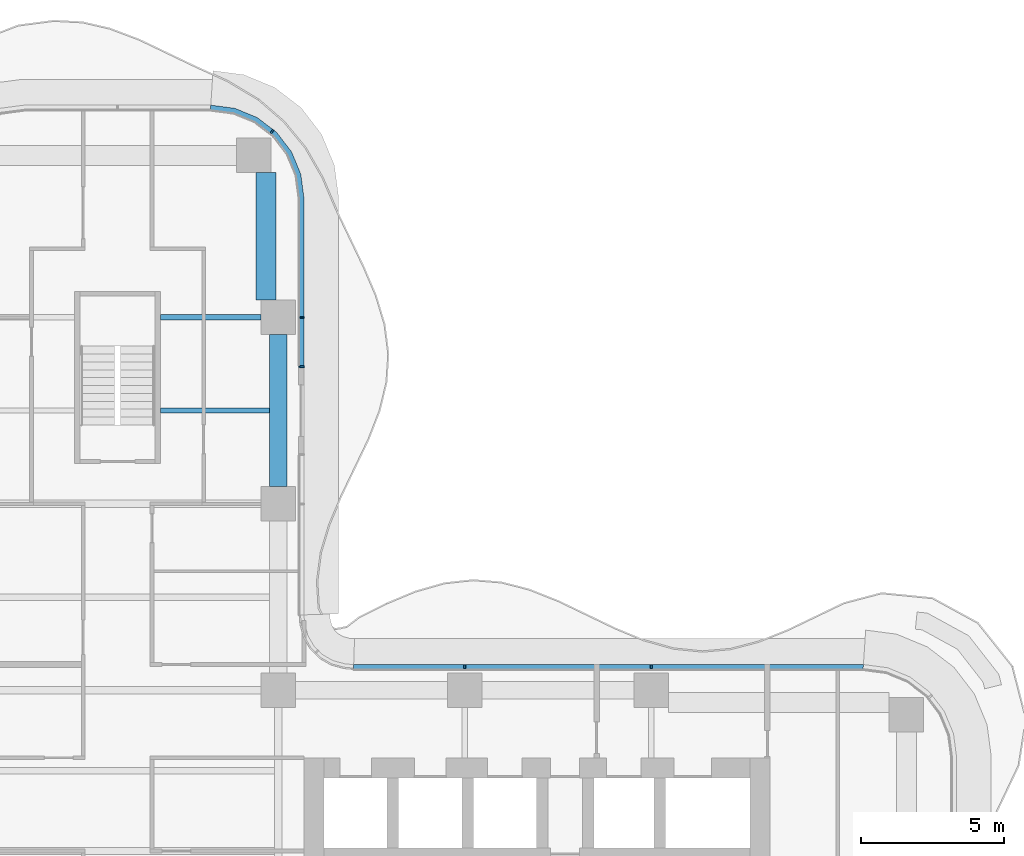
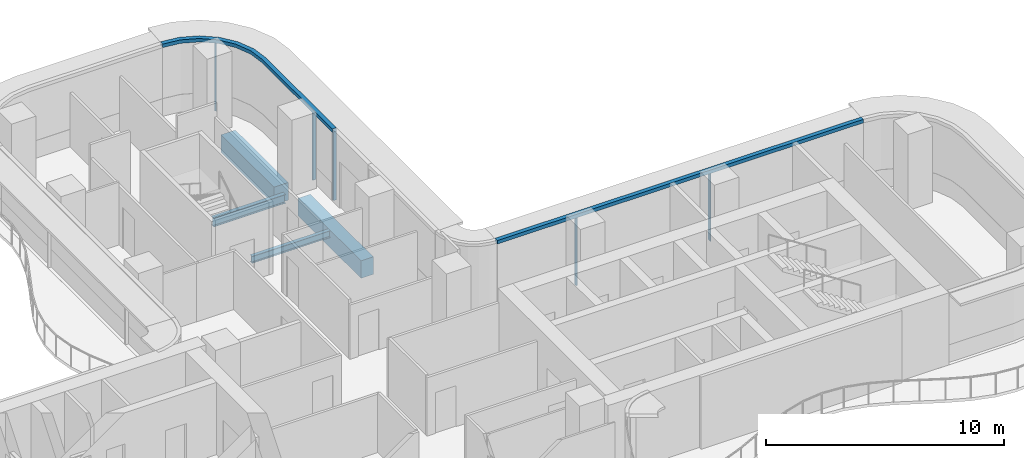
# One storey, part 8 of 17: 7 members, 4 beams, 2 elements without a shape of their own.
"""IFC4 building model written with IfcOpenShell, lengths in metres."""

from ifc_helpers import new_model, si_unit, direction, frame, origin, origin_2d, place, context, subcontext, project, spatial, polyline, rectangle, i_section, outline, extrude, source, transform, mapped, material, layer, layer_set, material_profile, profile_set, type_object, element, aggregate, save


model = new_model("IFC4")

# Units and contexts
model_context = context("Model", 3, precision=1e-05, world=origin(), true_north=direction((0.0, 1.0)))
body_context = subcontext(model_context, "Body", "Model", "MODEL_VIEW")
ifc_project = project(units=[si_unit("LENGTHUNIT", "METRE"), si_unit("AREAUNIT", "SQUARE_METRE"), si_unit("VOLUMEUNIT", "CUBIC_METRE"), si_unit("PLANEANGLEUNIT", "RADIAN"), si_unit("MASSUNIT", "GRAM", prefix="KILO")], contexts=[model_context])

# Site, building, storey
site_placement = place(None, origin())
site = spatial("IfcSite", under=ifc_project, at=site_placement, CompositionType="ELEMENT")
building_placement = place(site_placement, origin())
building = spatial("IfcBuilding", under=site, at=building_placement, Name="Trellis Farm Tower", CompositionType="ELEMENT")
storey_placement = place(building_placement, frame((0.0, 0.0, 173.699951171875)))
storey = spatial("IfcBuildingStorey", under=building, at=storey_placement, Name="L37", CompositionType="ELEMENT", Elevation=173.699951171875)

# Beams
ifc_material_1 = material(Name="Steel S355", Category="steel")
ifc_material_profile_1 = material_profile(ifc_material_1, i_section(OverallWidth=0.1904296875, OverallDepth=0.45703125, WebThickness=0.009033203125, FlangeThickness=0.014404296875, FilletRadius=0.01025390625, at=origin_2d()), Name="UB 457x191x74")
ifc_profile_set_1 = profile_set([ifc_material_profile_1], Name="Steel S355")
beam_type_1 = type_object("IfcBeamType", Name="UB 457x191x74", PredefinedType="BEAM", material=ifc_profile_set_1)
shared_shape_1 = source(origin(), body_context, "Body", "SweptSolid", [
    extrude(i_section(OverallWidth=0.1904296875, OverallDepth=0.45703125, WebThickness=0.009033203125, FlangeThickness=0.014404296875, FilletRadius=0.01025390625, at=origin_2d()), origin(), (0.0, 0.0, 1.0), 3.5),
])
beam_1_placement = place(storey_placement, frame((1.5, 18.60009765625, -0.428466796875), z_axis=(1.0, 0.0, 0.0), x_axis=(0.0, 1.0, 0.0)))
element("IfcBeam", 1, at=beam_1_placement, inside=storey, type_object=beam_type_1, Name="Girder", PredefinedType="BEAM", context=body_context, shape_type="MappedRepresentation", body=[
    mapped(shared_shape_1, transform((0.0, 0.0, 0.0))),
])
ifc_material_2 = material(Name="Concrete C60/75", Category="concrete")
ifc_material_profile_2 = material_profile(ifc_material_2, rectangle(XDim=0.60009765625, YDim=0.89990234375, at=origin_2d()), Name="RC spandrel beam 600x900 C60/75")
ifc_profile_set_2 = profile_set([ifc_material_profile_2], Name="Concrete C60/75")
beam_type_2 = type_object("IfcBeamType", Name="RC spandrel beam 600x900 C60/75", PredefinedType="SPANDREL", material=ifc_profile_set_2)
shared_shape_2 = source(origin(), body_context, "Body", "SweptSolid", [
    extrude(rectangle(XDim=0.60009765625, YDim=0.89990234375, at=origin_2d()), origin(), (0.0, 0.0, 1.0), 5.300048828125),
])
beam_2_placement = place(storey_placement, frame((5.60009765625, 12.699951171875, -0.64990234375), z_axis=(0.0, 1.0, 0.0), x_axis=(-1.0, 0.0, 0.0)))
element("IfcBeam", 2, at=beam_2_placement, inside=storey, type_object=beam_type_2, Name="Girder", PredefinedType="SPANDREL", context=body_context, shape_type="MappedRepresentation", body=[
    mapped(shared_shape_2, transform((0.0, 0.0, 0.0))),
])
ifc_material_profile_3 = material_profile(ifc_material_2, rectangle(XDim=0.699951171875, YDim=0.89990234375, at=origin_2d()), Name="RC spandrel beam 700x900 C60/75")
ifc_profile_set_3 = profile_set([ifc_material_profile_3], Name="Concrete C60/75")
beam_type_3 = type_object("IfcBeamType", Name="RC spandrel beam 700x900 C60/75", PredefinedType="SPANDREL", material=ifc_profile_set_3)
shared_shape_3 = source(origin(), body_context, "Body", "SweptSolid", [
    extrude(rectangle(XDim=0.699951171875, YDim=0.89990234375, at=origin_2d()), origin(), (0.0, 0.0, 1.0), 4.449951171875),
])
beam_3_placement = place(storey_placement, frame((5.175048828125, 19.199951171875, -0.64990234375), z_axis=(0.0, 1.0, 0.0), x_axis=(-1.0, 0.0, 0.0)))
element("IfcBeam", 3, at=beam_3_placement, inside=storey, type_object=beam_type_3, Name="Girder", PredefinedType="SPANDREL", context=body_context, shape_type="MappedRepresentation", body=[
    mapped(shared_shape_3, transform((0.0, 0.0, 0.0))),
])
ifc_material_profile_4 = material_profile(ifc_material_1, i_section(OverallWidth=0.17138671875, OverallDepth=0.35498046875, WebThickness=0.00732421875, FlangeThickness=0.011474609375, FilletRadius=0.01025390625, at=origin_2d()), Name="UB 356x171x51")
ifc_profile_set_4 = profile_set([ifc_material_profile_4], Name="Steel S355")
beam_type_4 = type_object("IfcBeamType", Name="UB 356x171x51 joist", PredefinedType="JOIST", material=ifc_profile_set_4)
shared_shape_4 = source(origin(), body_context, "Body", "SweptSolid", [
    extrude(i_section(OverallWidth=0.17138671875, OverallDepth=0.35498046875, WebThickness=0.00732421875, FlangeThickness=0.011474609375, FilletRadius=0.01025390625, at=origin_2d()), origin(), (0.0, 0.0, 1.0), 3.800048828125),
])
beam_4_placement = place(storey_placement, frame((1.5, 15.35009765625, -0.37744140625), z_axis=(1.0, 0.0, 0.0), x_axis=(0.0, 1.0, 0.0)))
element("IfcBeam", 4, at=beam_4_placement, inside=storey, type_object=beam_type_4, Name="Floor beam", PredefinedType="JOIST", context=body_context, shape_type="MappedRepresentation", body=[
    mapped(shared_shape_4, transform((0.0, 0.0, 0.0))),
])

# Curtain wall, members
ifc_material_3 = material(Name="Aluminium and glass curtain wall", Category="aluminium")
ifc_layer_1 = layer(ifc_material_3, 0.18994140625)
ifc_layer_set_1 = layer_set([ifc_layer_1], Name="RIBBON CURTAIN WALL CW1")
curtain_wall_type = type_object("IfcCurtainWallType", Name="RIBBON CURTAIN WALL CW1", PredefinedType="NOTDEFINED", material=ifc_layer_set_1)
placement_1 = place(storey_placement, origin())
curtain_wall_1 = element("IfcCurtainWall", 5, at=placement_1, inside=storey, type_object=curtain_wall_type, Name="CW1 007", PredefinedType="NOTDEFINED")
ifc_material_4 = material(Name="Aluminium extrusion 6063-T6", Category="aluminium")
ifc_layer_2 = layer(ifc_material_4, 0.199951171875)
ifc_layer_set_2 = layer_set([ifc_layer_2], Name="Aluminium extrusion 6063-T6")
member_type_1 = type_object("IfcMemberType", Name="CW1 TRANSOM 200x180", PredefinedType="USERDEFINED", material=ifc_layer_set_2)
shared_shape_5 = source(origin(), body_context, "Body", "SweptSolid", [
    extrude(outline(polyline([(26.0, 6.5), (8.2314453125, 6.5), (8.224853515625, 6.300048828125), (25.98681640625, 6.300048828125), (26.0, 6.5)])), origin(), (0.0, 0.0, 1.0), 0.179931640625),
])
placement_2 = place(storey_placement, frame((0.0, 0.0, 3.52001953125)))
member_1 = element("IfcMember", 6, at=placement_2, type_object=member_type_1, Name="TR1 007", ObjectType="TRANSOM", PredefinedType="USERDEFINED", context=body_context, shape_type="MappedRepresentation", body=[
    mapped(shared_shape_5, transform((0.0, 0.0, 0.0))),
])
ifc_material_profile_5 = material_profile(ifc_material_4, rectangle(XDim=0.06005859375, YDim=0.14990234375, at=origin_2d()), Name="MULLION 60x150")
ifc_profile_set_5 = profile_set([ifc_material_profile_5], Name="Aluminium extrusion 6063-T6")
member_type_2 = type_object("IfcMemberType", Name="CW1 MULLION 60x150", PredefinedType="MULLION", material=ifc_profile_set_5)
shared_shape_6 = source(origin(), body_context, "Body", "SweptSolid", [
    extrude(rectangle(XDim=0.06005859375, YDim=0.14990234375, at=origin_2d()), origin(), (0.0, 0.0, 1.0), 3.52001953125),
])
member_2_placement = place(storey_placement, frame((18.60009765625, 6.425048828125, 0.0), z_axis=(0.0, 0.0, 1.0), x_axis=(-1.0, 0.0, 0.0)))
member_2 = element("IfcMember", 7, at=member_2_placement, type_object=member_type_2, Name="MU1 007-01", PredefinedType="MULLION", context=body_context, shape_type="MappedRepresentation", body=[
    mapped(shared_shape_6, transform((0.0, 0.0, 0.0))),
])
member_3_placement = place(storey_placement, frame((12.10009765625, 6.425048828125, 0.0), z_axis=(0.0, 0.0, 1.0), x_axis=(-1.0, 0.0, 0.0)))
member_3 = element("IfcMember", 8, at=member_3_placement, type_object=member_type_2, Name="MU1 007-02", PredefinedType="MULLION", context=body_context, shape_type="MappedRepresentation", body=[
    mapped(shared_shape_6, transform((0.0, 0.0, 0.0))),
])
aggregate(curtain_wall_1, [member_2, member_3, member_1])

curtain_wall_2 = element("IfcCurtainWall", 9, at=placement_1, inside=storey, type_object=curtain_wall_type, Name="CW1 009", PredefinedType="NOTDEFINED")
member_4_placement = place(storey_placement, frame((6.425048828125, 16.8798828125, 0.0), z_axis=(0.0, 0.0, 1.0), x_axis=(0.0, 1.0, 0.0)))
member_4 = element("IfcMember", 10, at=member_4_placement, type_object=member_type_2, Name="MU1 009-01", PredefinedType="MULLION", context=body_context, shape_type="MappedRepresentation", body=[
    mapped(shared_shape_6, transform((0.0, 0.0, 0.0))),
])
member_5_placement = place(storey_placement, frame((6.425048828125, 18.60009765625, 0.0), z_axis=(0.0, 0.0, 1.0), x_axis=(0.0, 1.0, 0.0)))
member_5 = element("IfcMember", 11, at=member_5_placement, type_object=member_type_2, Name="MU1 009-02", PredefinedType="MULLION", context=body_context, shape_type="MappedRepresentation", body=[
    mapped(shared_shape_6, transform((0.0, 0.0, 0.0))),
])
member_6_placement = place(storey_placement, frame((5.385498046875, 25.078369140625, 0.0), z_axis=(0.0, 0.0, 1.0), x_axis=(-0.793353340291, 0.608761429009, 0.0)))
member_6 = element("IfcMember", 12, at=member_6_placement, type_object=member_type_2, Name="MU1 009-03", PredefinedType="MULLION", context=body_context, shape_type="MappedRepresentation", body=[
    mapped(shared_shape_6, transform((0.0, 0.0, 0.0))),
])
shared_shape_7 = source(origin(), body_context, "Body", "SweptSolid", [
    extrude(outline(polyline([(6.5, 16.85009765625), (6.5, 22.75), (6.38916015625, 23.591064453125), (6.064697265625, 24.375), (5.548095703125, 25.048095703125), (4.875, 25.564697265625), (4.091064453125, 25.88916015625), (3.25, 26.0), (3.23681640625, 25.800048828125), (4.0390625, 25.6943359375), (4.774169921875, 25.389892578125), (5.405517578125, 24.905517578125), (5.889892578125, 24.274169921875), (6.1943359375, 23.5390625), (6.300048828125, 22.73681640625), (6.300048828125, 16.85009765625), (6.5, 16.85009765625)])), origin(), (0.0, 0.0, 1.0), 0.179931640625),
])
member_7 = element("IfcMember", 13, at=placement_2, type_object=member_type_1, Name="TR1 009", ObjectType="TRANSOM", PredefinedType="USERDEFINED", context=body_context, shape_type="MappedRepresentation", body=[
    mapped(shared_shape_7, transform((0.0, 0.0, 0.0))),
])
aggregate(curtain_wall_2, [member_4, member_5, member_6, member_7])

save(model, "model.ifc")
